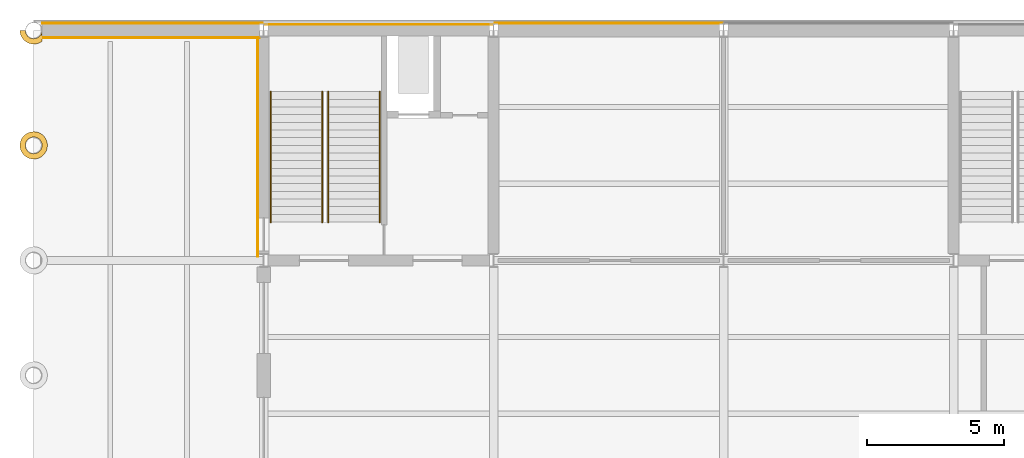
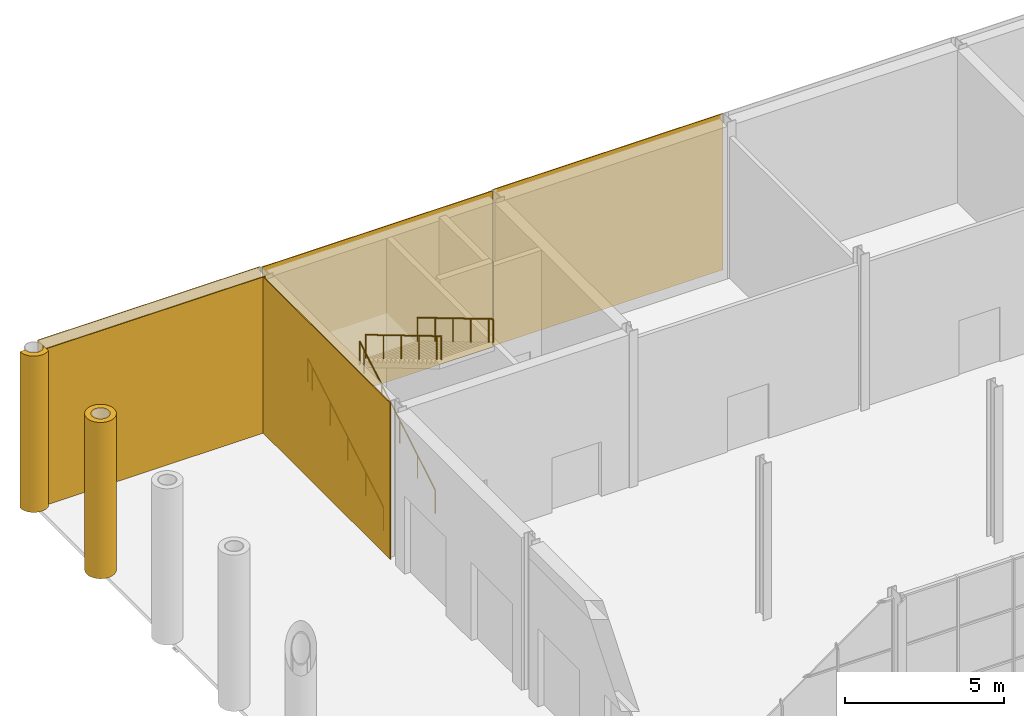
# One storey, part 44 of 55: 7 coverings, 4 railings.
"""IFC4 building model written with IfcOpenShell, lengths in metres."""

from ifc_helpers import new_model, si_unit, direction, frame, origin, origin_2d, place, context, subcontext, project, spatial, polyline, rectangle, circle, outline, extrude, material, layer, layer_set, type_object, element, save


model = new_model("IFC4")

# Units and contexts
model_context = context("Model", 3, precision=1e-05, world=origin(), true_north=direction((0.0, 1.0)))
body_context = subcontext(model_context, "Body", "Model", "MODEL_VIEW")
ifc_project = project(units=[si_unit("LENGTHUNIT", "METRE"), si_unit("AREAUNIT", "SQUARE_METRE"), si_unit("VOLUMEUNIT", "CUBIC_METRE"), si_unit("PLANEANGLEUNIT", "RADIAN"), si_unit("MASSUNIT", "GRAM", prefix="KILO")], contexts=[model_context])

# Site, building, storey
site_placement = place(None, origin())
site = spatial("IfcSite", under=ifc_project, at=site_placement, CompositionType="ELEMENT")
building_placement = place(site_placement, origin())
building = spatial("IfcBuilding", under=site, at=building_placement, Name="Galleria Vessillo Department Store", CompositionType="ELEMENT")
storey_placement = place(building_placement, origin())
storey = spatial("IfcBuildingStorey", under=building, at=storey_placement, Name="L00", CompositionType="ELEMENT", Elevation=0.0)

# Coverings
ifc_material_1 = material(Name="Lime plaster (intonaco) ochre")
ifc_layer_1 = layer(ifc_material_1, 0.030029296875)
ifc_layer_set_1 = layer_set([ifc_layer_1], Name="Lime plaster (intonaco) ochre")
covering_type_1 = type_object("IfcCoveringType", Name="Lime plaster render 30 mm", PredefinedType="CLADDING", material=ifc_layer_set_1)
covering_1_placement = place(storey_placement, frame((4.33740234375, 63.264892578125, 0.0), z_axis=(0.0, 0.0, 1.0), x_axis=(1.0, 0.0, 0.0)))
element("IfcCovering", 1, at=covering_1_placement, inside=storey, type_object=covering_type_1, Name="Wall cladding S-PN-L00-01", PredefinedType="CLADDING", context=body_context, shape_type="SweptSolid", body=[
    extrude(rectangle(XDim=8.065185546875, YDim=0.030029296875, at=origin_2d()), origin(), (0.0, 0.0, 1.0), 6.0),
])
for number, where, z_axis, x_axis, name in (
    (2, (12.599853515625, 63.215087890625, 0.0), (0.0, 0.0, 1.0), (1.0, 0.0, 0.0), "Wall cladding S-CW-PC-NW-PARTY-L00"),
    (3, (21.0, 63.264892578125, 0.0), (0.0, 0.0, 1.0), (1.0, 0.0, 0.0), "Wall cladding S-PN-L00-02"),
):
    element("IfcCovering", number, at=place(storey_placement, frame(where, z_axis=z_axis, x_axis=x_axis)), inside=storey, type_object=covering_type_1, Name=name, PredefinedType="CLADDING", context=body_context, shape_type="SweptSolid", body=[
        extrude(rectangle(XDim=8.340087890625, YDim=0.030029296875, at=origin_2d()), origin(), (0.0, 0.0, 1.0), 6.0),
    ])
ifc_material_2 = material(Name="Botticino limestone ashlar", Category="masonry")
ifc_layer_2 = layer(ifc_material_2, 0.195068359375)
ifc_layer_set_2 = layer_set([ifc_layer_2], Name="Botticino limestone ashlar")
covering_type_2 = type_object("IfcCoveringType", Name="Limestone column drum cladding 1000 mm", PredefinedType="CLADDING", material=ifc_layer_set_2)
covering_2_placement = place(storey_placement, origin())
element("IfcCovering", 4, at=covering_2_placement, inside=storey, type_object=covering_type_2, Name="Column drum cladding L00 y=58.8", PredefinedType="CLADDING", context=body_context, shape_type="SweptSolid", body=[
    extrude(outline(polyline([(0.5, 58.800048828125), (0.49560546875, 58.865234375), (0.48291015625, 58.929443359375), (0.4619140625, 58.991455078125), (0.43310546875, 59.050048828125), (0.396728515625, 59.1044921875), (0.353515625, 59.153564453125), (0.304443359375, 59.19677734375), (0.25, 59.233154296875), (0.19140625, 59.261962890625), (0.12939453125, 59.282958984375), (0.065185546875, 59.295654296875), (0.0, 59.300048828125), (-0.065185546875, 59.295654296875), (-0.12939453125, 59.282958984375), (-0.19140625, 59.261962890625), (-0.25, 59.233154296875), (-0.304443359375, 59.19677734375), (-0.353515625, 59.153564453125), (-0.396728515625, 59.1044921875), (-0.43310546875, 59.050048828125), (-0.4619140625, 58.991455078125), (-0.48291015625, 58.929443359375), (-0.49560546875, 58.865234375), (-0.5, 58.800048828125), (-0.49560546875, 58.73486328125), (-0.48291015625, 58.670654296875), (-0.4619140625, 58.608642578125), (-0.43310546875, 58.550048828125), (-0.396728515625, 58.49560546875), (-0.353515625, 58.446533203125), (-0.304443359375, 58.4033203125), (-0.25, 58.366943359375), (-0.19140625, 58.338134765625), (-0.12939453125, 58.317138671875), (-0.065185546875, 58.304443359375), (0.0, 58.300048828125), (0.065185546875, 58.304443359375), (0.12939453125, 58.317138671875), (0.19140625, 58.338134765625), (0.25, 58.366943359375), (0.304443359375, 58.4033203125), (0.353515625, 58.446533203125), (0.396728515625, 58.49560546875), (0.43310546875, 58.550048828125), (0.4619140625, 58.608642578125), (0.48291015625, 58.670654296875), (0.49560546875, 58.73486328125), (0.5, 58.800048828125)]), holes=[polyline([(0.3056640625, 58.800048828125), (0.302978515625, 58.83984375), (0.295166015625, 58.879150390625), (0.282470703125, 58.9169921875), (0.2646484375, 58.952880859375), (0.242431640625, 58.986083984375), (0.216064453125, 59.01611328125), (0.18603515625, 59.04248046875), (0.15283203125, 59.064697265625), (0.116943359375, 59.08251953125), (0.0791015625, 59.09521484375), (0.039794921875, 59.10302734375), (0.0, 59.105712890625), (-0.039794921875, 59.10302734375), (-0.0791015625, 59.09521484375), (-0.116943359375, 59.08251953125), (-0.15283203125, 59.064697265625), (-0.18603515625, 59.04248046875), (-0.216064453125, 59.01611328125), (-0.242431640625, 58.986083984375), (-0.2646484375, 58.952880859375), (-0.282470703125, 58.9169921875), (-0.295166015625, 58.879150390625), (-0.302978515625, 58.83984375), (-0.3056640625, 58.800048828125), (-0.302978515625, 58.76025390625), (-0.295166015625, 58.720947265625), (-0.282470703125, 58.68310546875), (-0.2646484375, 58.647216796875), (-0.242431640625, 58.614013671875), (-0.216064453125, 58.583984375), (-0.18603515625, 58.5576171875), (-0.15283203125, 58.535400390625), (-0.116943359375, 58.517578125), (-0.0791015625, 58.5048828125), (-0.039794921875, 58.4970703125), (0.0, 58.494384765625), (0.039794921875, 58.4970703125), (0.0791015625, 58.5048828125), (0.116943359375, 58.517578125), (0.15283203125, 58.535400390625), (0.18603515625, 58.5576171875), (0.216064453125, 58.583984375), (0.242431640625, 58.614013671875), (0.2646484375, 58.647216796875), (0.282470703125, 58.68310546875), (0.295166015625, 58.720947265625), (0.302978515625, 58.76025390625), (0.3056640625, 58.800048828125)])]), origin(), (0.0, 0.0, 1.0), 6.0),
])
covering_3_placement = place(storey_placement, origin())
element("IfcCovering", 5, at=covering_3_placement, inside=storey, type_object=covering_type_2, Name="Corner column drum cladding L00 y=63", PredefinedType="CLADDING", context=body_context, shape_type="SweptSolid", body=[
    extrude(outline(polyline([(0.25, 62.56689453125), (0.19140625, 62.5380859375), (0.12939453125, 62.51708984375), (0.065185546875, 62.50439453125), (0.0, 62.5), (-0.065185546875, 62.50439453125), (-0.12939453125, 62.51708984375), (-0.19140625, 62.5380859375), (-0.25, 62.56689453125), (-0.304443359375, 62.603271484375), (-0.353515625, 62.646484375), (-0.396728515625, 62.695556640625), (-0.43310546875, 62.75), (-0.4619140625, 62.80859375), (-0.48291015625, 62.87060546875), (-0.49560546875, 62.934814453125), (-0.5, 63.0), (-0.3056640625, 63.0), (-0.302978515625, 62.960205078125), (-0.295166015625, 62.9208984375), (-0.282470703125, 62.883056640625), (-0.2646484375, 62.84716796875), (-0.242431640625, 62.81396484375), (-0.216064453125, 62.783935546875), (-0.18603515625, 62.757568359375), (-0.15283203125, 62.7353515625), (-0.116943359375, 62.717529296875), (-0.0791015625, 62.704833984375), (-0.039794921875, 62.697021484375), (0.0, 62.6943359375), (0.039794921875, 62.697021484375), (0.0791015625, 62.704833984375), (0.116943359375, 62.717529296875), (0.15283203125, 62.7353515625), (0.18603515625, 62.757568359375), (0.216064453125, 62.783935546875), (0.242431640625, 62.81396484375), (0.2646484375, 62.84716796875), (0.282470703125, 62.883056640625), (0.295166015625, 62.9208984375), (0.302978515625, 62.960205078125), (0.304931640625, 62.989990234375), (0.304931640625, 62.60400390625), (0.304443359375, 62.603271484375), (0.25, 62.56689453125)])), origin(), (0.0, 0.0, 1.0), 6.0),
])
ifc_material_3 = material(Name="Botticino limestone ashlar", Category="masonry")
ifc_layer_3 = layer(ifc_material_3, 0.030029296875)
ifc_layer_set_3 = layer_set([ifc_layer_3], Name="Botticino limestone ashlar")
covering_type_3 = type_object("IfcCoveringType", Name="Limestone wall cladding 30 mm", PredefinedType="CLADDING", material=ifc_layer_set_3)
covering_4_placement = place(storey_placement, frame((8.184814453125, 58.739990234375, 0.0), z_axis=(0.0, 0.0, 1.0), x_axis=(1.0, 0.0, 0.0)))
element("IfcCovering", 6, at=covering_4_placement, inside=storey, type_object=covering_type_3, Name="Wall cladding S-CW-PC-NW-WEST-L00", PredefinedType="CLADDING", context=body_context, shape_type="SweptSolid", body=[
    extrude(rectangle(XDim=0.030029296875, YDim=8.02001953125, at=origin_2d()), origin(), (0.0, 0.0, 1.0), 6.0),
])
covering_5_placement = place(storey_placement, frame((4.27734375, 62.735107421875, 0.0), z_axis=(0.0, 0.0, 1.0), x_axis=(1.0, 0.0, 0.0)))
element("IfcCovering", 7, at=covering_5_placement, inside=storey, type_object=covering_type_3, Name="Loggia end bay cladding S-PN-L00-01", PredefinedType="CLADDING", context=body_context, shape_type="SweptSolid", body=[
    extrude(rectangle(XDim=7.945068359375, YDim=0.030029296875, at=origin_2d()), origin(), (0.0, 0.0, 1.0), 6.0),
])

# Railings
ifc_material_4 = material(Name="Stainless steel tube", Category="steel")
railing_type = type_object("IfcRailingType", Name="Stair handrail steel tube 48 mm", PredefinedType="HANDRAIL", material=ifc_material_4)
railing_1_placement = place(storey_placement, frame((8.66015625, 56.0, 0.166748046875)))
element("IfcRailing", 8, at=railing_1_placement, inside=storey, type_object=railing_type, Name="Handrail ST2 L00 flight 1A", PredefinedType="HANDRAIL", context=body_context, shape_type="SweptSolid", body=[
    extrude(circle(Radius=0.02392578125, at=origin_2d()), frame((0.0, 0.0, 0.89599609375), z_axis=(0.0, 0.859371278866, 0.511352134112), x_axis=(-1.0, 0.0, 0.0)), (0.0, 0.0, 1.0), 1.303466796875),
    extrude(circle(Radius=0.02392578125, at=origin_2d()), frame((0.0, 1.1201171875, 1.5625), z_axis=(0.0, 0.859239953289, 0.511572773584), x_axis=(-1.0, 0.0, 0.0)), (0.0, 0.0, 1.0), 1.30322265625),
    extrude(circle(Radius=0.02392578125, at=origin_2d()), frame((0.0, 2.239990234375, 2.22900390625), z_axis=(0.0, 0.859288964532, 0.511490445104), x_axis=(-1.0, 0.0, 0.0)), (0.0, 0.0, 1.0), 1.303466796875),
    extrude(circle(Radius=0.02392578125, at=origin_2d()), frame((0.0, 3.360107421875, 2.89599609375), z_axis=(0.0, 0.85932228943, 0.511434456103), x_axis=(-1.0, 0.0, 0.0)), (0.0, 0.0, 1.0), 1.30322265625),
    extrude(circle(Radius=0.02392578125, at=origin_2d()), frame((0.0, 4.47998046875, 3.5625), z_axis=(0.0, 0.859206643714, 0.511628716353), x_axis=(-1.0, 0.0, 0.0)), (0.0, 0.0, 1.0), 0.325927734375),
    extrude(circle(Radius=0.02099609375, at=origin_2d()), origin(), (0.0, 0.0, 1.0), 0.871826171875),
    extrude(circle(Radius=0.02099609375, at=origin_2d()), frame((0.0, 1.1201171875, 0.66650390625)), (0.0, 0.0, 1.0), 0.871826171875),
    extrude(circle(Radius=0.02099609375, at=origin_2d()), frame((0.0, 2.239990234375, 1.333251953125)), (0.0, 0.0, 1.0), 0.871826171875),
    extrude(circle(Radius=0.02099609375, at=origin_2d()), frame((0.0, 3.360107421875, 2.0)), (0.0, 0.0, 1.0), 0.871826171875),
    extrude(circle(Radius=0.02099609375, at=origin_2d()), frame((0.0, 4.47998046875, 2.66650390625)), (0.0, 0.0, 1.0), 0.871826171875),
    extrude(circle(Radius=0.02099609375, at=origin_2d()), frame((0.0, 4.760009765625, 2.833251953125)), (0.0, 0.0, 1.0), 0.871826171875),
])
railing_2_placement = place(storey_placement, frame((10.5400390625, 56.0, 0.166748046875)))
element("IfcRailing", 9, at=railing_2_placement, inside=storey, type_object=railing_type, Name="Handrail ST2 L00 flight 1B", PredefinedType="HANDRAIL", context=body_context, shape_type="SweptSolid", body=[
    extrude(circle(Radius=0.02392578125, at=origin_2d()), frame((0.0, 0.0, 0.89599609375), z_axis=(0.0, 0.859371278866, 0.511352134112), x_axis=(-1.0, 0.0, 0.0)), (0.0, 0.0, 1.0), 1.303466796875),
    extrude(circle(Radius=0.02392578125, at=origin_2d()), frame((0.0, 1.1201171875, 1.5625), z_axis=(0.0, 0.859239953289, 0.511572773584), x_axis=(-1.0, 0.0, 0.0)), (0.0, 0.0, 1.0), 1.30322265625),
    extrude(circle(Radius=0.02392578125, at=origin_2d()), frame((0.0, 2.239990234375, 2.22900390625), z_axis=(0.0, 0.859288964532, 0.511490445104), x_axis=(-1.0, 0.0, 0.0)), (0.0, 0.0, 1.0), 1.303466796875),
    extrude(circle(Radius=0.02392578125, at=origin_2d()), frame((0.0, 3.360107421875, 2.89599609375), z_axis=(0.0, 0.85932228943, 0.511434456103), x_axis=(-1.0, 0.0, 0.0)), (0.0, 0.0, 1.0), 1.30322265625),
    extrude(circle(Radius=0.02392578125, at=origin_2d()), frame((0.0, 4.47998046875, 3.5625), z_axis=(0.0, 0.859206643714, 0.511628716353), x_axis=(-1.0, 0.0, 0.0)), (0.0, 0.0, 1.0), 0.325927734375),
    extrude(circle(Radius=0.02099609375, at=origin_2d()), origin(), (0.0, 0.0, 1.0), 0.871826171875),
    extrude(circle(Radius=0.02099609375, at=origin_2d()), frame((0.0, 1.1201171875, 0.66650390625)), (0.0, 0.0, 1.0), 0.871826171875),
    extrude(circle(Radius=0.02099609375, at=origin_2d()), frame((0.0, 2.239990234375, 1.333251953125)), (0.0, 0.0, 1.0), 0.871826171875),
    extrude(circle(Radius=0.02099609375, at=origin_2d()), frame((0.0, 3.360107421875, 2.0)), (0.0, 0.0, 1.0), 0.871826171875),
    extrude(circle(Radius=0.02099609375, at=origin_2d()), frame((0.0, 4.47998046875, 2.66650390625)), (0.0, 0.0, 1.0), 0.871826171875),
    extrude(circle(Radius=0.02099609375, at=origin_2d()), frame((0.0, 4.760009765625, 2.833251953125)), (0.0, 0.0, 1.0), 0.871826171875),
])
railing_3_placement = place(storey_placement, frame((12.639892578125, 60.760009765625, 3.166748046875)))
element("IfcRailing", 10, at=railing_3_placement, inside=storey, type_object=railing_type, Name="Handrail ST2 L00 flight 2A", PredefinedType="HANDRAIL", context=body_context, shape_type="SweptSolid", body=[
    extrude(circle(Radius=0.02392578125, at=origin_2d()), frame((0.0, 0.0, 0.89599609375), z_axis=(0.0, -0.859371278866, 0.511352134112), x_axis=(1.0, 0.0, 0.0)), (0.0, 0.0, 1.0), 1.303466796875),
    extrude(circle(Radius=0.02392578125, at=origin_2d()), frame((0.0, -1.1201171875, 1.5625), z_axis=(0.0, -0.859239953289, 0.511572773584), x_axis=(1.0, 0.0, 0.0)), (0.0, 0.0, 1.0), 1.30322265625),
    extrude(circle(Radius=0.02392578125, at=origin_2d()), frame((0.0, -2.239990234375, 2.22900390625), z_axis=(0.0, -0.859288964532, 0.511490445104), x_axis=(1.0, 0.0, 0.0)), (0.0, 0.0, 1.0), 1.303466796875),
    extrude(circle(Radius=0.02392578125, at=origin_2d()), frame((0.0, -3.360107421875, 2.89599609375), z_axis=(0.0, -0.85932228943, 0.511434456103), x_axis=(1.0, 0.0, 0.0)), (0.0, 0.0, 1.0), 1.30322265625),
    extrude(circle(Radius=0.02392578125, at=origin_2d()), frame((0.0, -4.47998046875, 3.5625), z_axis=(0.0, -0.859206643714, 0.511628716353), x_axis=(1.0, 0.0, 0.0)), (0.0, 0.0, 1.0), 0.325927734375),
    extrude(circle(Radius=0.02099609375, at=origin_2d()), origin(), (0.0, 0.0, 1.0), 0.871826171875),
    extrude(circle(Radius=0.02099609375, at=origin_2d()), frame((0.0, -1.1201171875, 0.66650390625)), (0.0, 0.0, 1.0), 0.871826171875),
    extrude(circle(Radius=0.02099609375, at=origin_2d()), frame((0.0, -2.239990234375, 1.333251953125)), (0.0, 0.0, 1.0), 0.871826171875),
    extrude(circle(Radius=0.02099609375, at=origin_2d()), frame((0.0, -3.360107421875, 2.0)), (0.0, 0.0, 1.0), 0.871826171875),
    extrude(circle(Radius=0.02099609375, at=origin_2d()), frame((0.0, -4.47998046875, 2.66650390625)), (0.0, 0.0, 1.0), 0.871826171875),
    extrude(circle(Radius=0.02099609375, at=origin_2d()), frame((0.0, -4.760009765625, 2.833251953125)), (0.0, 0.0, 1.0), 0.871826171875),
])
railing_4_placement = place(storey_placement, frame((10.760009765625, 60.760009765625, 3.166748046875)))
element("IfcRailing", 11, at=railing_4_placement, inside=storey, type_object=railing_type, Name="Handrail ST2 L00 flight 2B", PredefinedType="HANDRAIL", context=body_context, shape_type="SweptSolid", body=[
    extrude(circle(Radius=0.02392578125, at=origin_2d()), frame((0.0, 0.0, 0.89599609375), z_axis=(0.0, -0.859371278866, 0.511352134112), x_axis=(1.0, 0.0, 0.0)), (0.0, 0.0, 1.0), 1.303466796875),
    extrude(circle(Radius=0.02392578125, at=origin_2d()), frame((0.0, -1.1201171875, 1.5625), z_axis=(0.0, -0.859239953289, 0.511572773584), x_axis=(1.0, 0.0, 0.0)), (0.0, 0.0, 1.0), 1.30322265625),
    extrude(circle(Radius=0.02392578125, at=origin_2d()), frame((0.0, -2.239990234375, 2.22900390625), z_axis=(0.0, -0.859288964532, 0.511490445104), x_axis=(1.0, 0.0, 0.0)), (0.0, 0.0, 1.0), 1.303466796875),
    extrude(circle(Radius=0.02392578125, at=origin_2d()), frame((0.0, -3.360107421875, 2.89599609375), z_axis=(0.0, -0.85932228943, 0.511434456103), x_axis=(1.0, 0.0, 0.0)), (0.0, 0.0, 1.0), 1.30322265625),
    extrude(circle(Radius=0.02392578125, at=origin_2d()), frame((0.0, -4.47998046875, 3.5625), z_axis=(0.0, -0.859206643714, 0.511628716353), x_axis=(1.0, 0.0, 0.0)), (0.0, 0.0, 1.0), 0.325927734375),
    extrude(circle(Radius=0.02099609375, at=origin_2d()), origin(), (0.0, 0.0, 1.0), 0.871826171875),
    extrude(circle(Radius=0.02099609375, at=origin_2d()), frame((0.0, -1.1201171875, 0.66650390625)), (0.0, 0.0, 1.0), 0.871826171875),
    extrude(circle(Radius=0.02099609375, at=origin_2d()), frame((0.0, -2.239990234375, 1.333251953125)), (0.0, 0.0, 1.0), 0.871826171875),
    extrude(circle(Radius=0.02099609375, at=origin_2d()), frame((0.0, -3.360107421875, 2.0)), (0.0, 0.0, 1.0), 0.871826171875),
    extrude(circle(Radius=0.02099609375, at=origin_2d()), frame((0.0, -4.47998046875, 2.66650390625)), (0.0, 0.0, 1.0), 0.871826171875),
    extrude(circle(Radius=0.02099609375, at=origin_2d()), frame((0.0, -4.760009765625, 2.833251953125)), (0.0, 0.0, 1.0), 0.871826171875),
])

save(model, "model.ifc")
